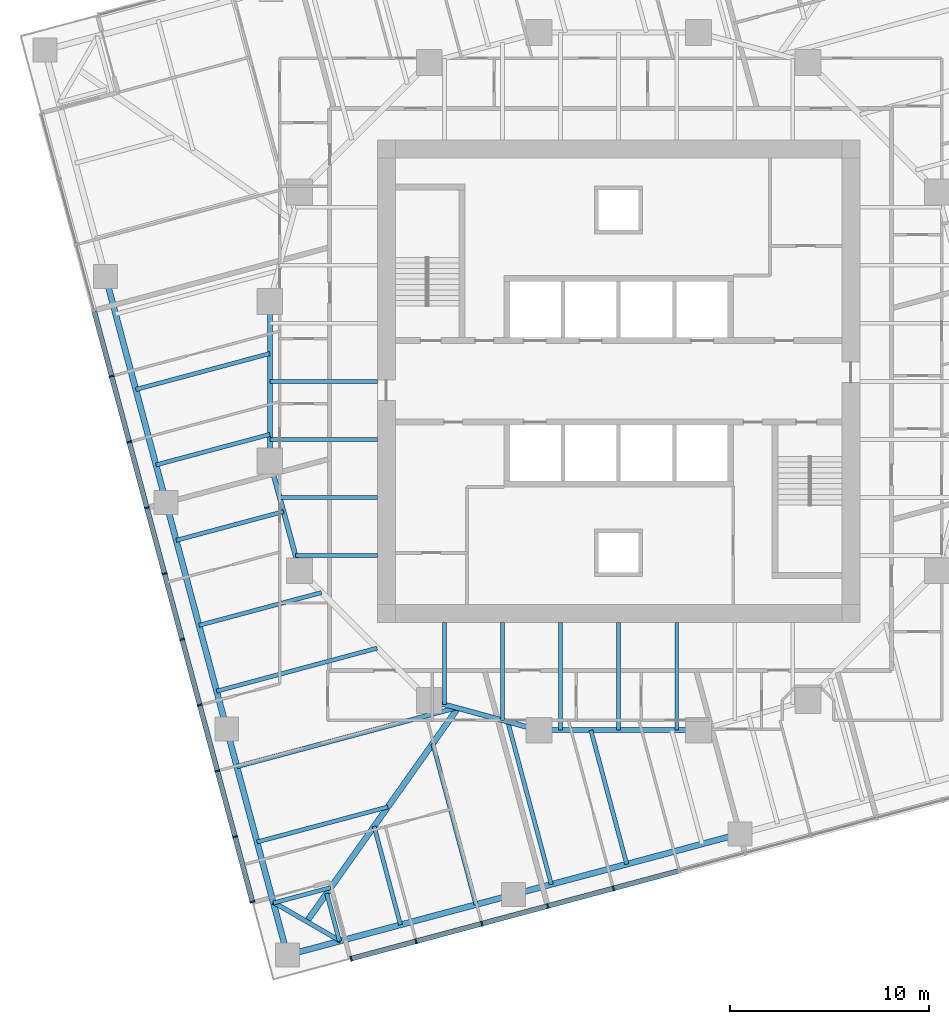
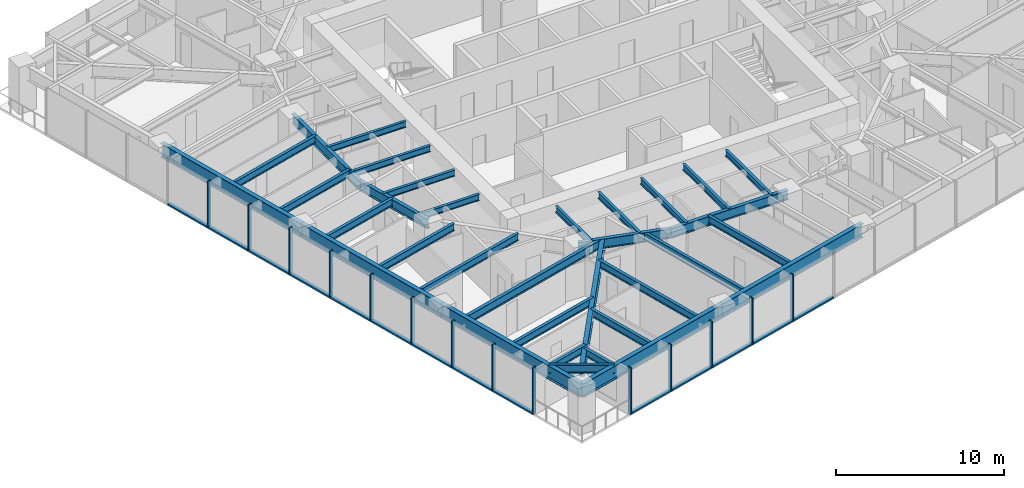
# One storey, part 2 of 14: 33 beams, 28 members, 2 elements without a shape of their own.
"""IFC4 building model written with IfcOpenShell, lengths in metres."""

import ifcopenshell
import ifcopenshell.guid

model = None  # the IFC model being written
_history = None  # IfcOwnerHistory: only IFC2X3 demands one
_inside = {}  # id of a spatial element -> (the spatial element, [elements in it])
_under = {}  # id of a project, library or spatial element -> (it, [spatial elements below it])
_declared = {}  # id of a project -> (the project, [libraries it declares])
_typed = {}  # id of a type object -> (the type object, [elements of that type])
_made_of = {}  # id of a material, layer set ... -> (it, [elements and type objects made of it])


def new_model(schema):
    """Start an empty IFC model of exactly this schema.

    Asked for "IFC4X3", IfcOpenShell would pick the latest addendum, in which some entities
    have other attributes; the version numbers below select the first issue.
    IFC2X3 requires an IfcOwnerHistory on every rooted entity: one is made here for all.
    """
    global model, _history
    if schema == "IFC4X3":
        model = ifcopenshell.file(schema_version=(4, 3, 0, 0))
    else:
        model = ifcopenshell.file(schema=schema)
    _inside.clear()
    _under.clear()
    _declared.clear()
    _typed.clear()
    _made_of.clear()
    _history = None
    if model.schema == "IFC2X3":
        org = make("IfcOrganization", Name="unknown")
        user = make(
            "IfcPersonAndOrganization",
            ThePerson=make("IfcPerson", FamilyName="unknown"),
            TheOrganization=org,
        )
        app = make(
            "IfcApplication",
            ApplicationDeveloper=org,
            Version="unknown",
            ApplicationFullName="unknown",
            ApplicationIdentifier="unknown",
        )
        _history = make(
            "IfcOwnerHistory",
            OwningUser=user,
            OwningApplication=app,
            ChangeAction="ADDED",
            CreationDate=0,
        )
    return model


def make(cls, **values):
    """One entity of the class cls with the attributes given. An attribute that is None is left unset."""
    return model.create_entity(
        cls, **{name: value for name, value in values.items() if value is not None}
    )


def rooted(cls, **values):
    """An entity with a GlobalId (a new one), such as an element, a storey or a relation."""
    return make(cls, GlobalId=ifcopenshell.guid.new(), OwnerHistory=_history, **values)


def si_unit(unit_type, name, prefix=None):
    """IfcSIUnit, for example si_unit("LENGTHUNIT", "METRE", prefix="MILLI")."""
    return make("IfcSIUnit", UnitType=unit_type, Prefix=prefix, Name=name)


def assignment(units):
    """IfcUnitAssignment: the units of a project."""
    return None if units is None else make("IfcUnitAssignment", Units=units)


def point(xyz):
    """IfcCartesianPoint."""
    return None if xyz is None else make("IfcCartesianPoint", Coordinates=xyz)


def direction(xyz):
    """IfcDirection."""
    return None if xyz is None else make("IfcDirection", DirectionRatios=xyz)


def frame(location, z_axis=None, x_axis=None):
    """IfcAxis2Placement3D, a coordinate frame: its origin and axes. An axis left out is left unset."""
    return make(
        "IfcAxis2Placement3D",
        Location=point(location),
        Axis=direction(z_axis),
        RefDirection=direction(x_axis),
    )


def frame_2d(location, x_axis=None):
    """IfcAxis2Placement2D, a coordinate frame in the plane: its origin and x axis."""
    return make(
        "IfcAxis2Placement2D", Location=point(location), RefDirection=direction(x_axis)
    )


def origin():
    """The frame at (0, 0, 0) with its axes left unset."""
    return frame((0.0, 0.0, 0.0))


def origin_2d():
    """The frame at (0, 0) in the plane with its x axis left unset."""
    return frame_2d((0.0, 0.0))


def place(relative_to, where):
    """IfcLocalPlacement: puts the frame where relative to a parent placement (None: the world)."""
    return make(
        "IfcLocalPlacement", PlacementRelTo=relative_to, RelativePlacement=where
    )


def context(
    kind, dimensions, precision=None, world=None, true_north=None, identifier=None
):
    """IfcGeometricRepresentationContext, for example the 3D "Model" context."""
    return make(
        "IfcGeometricRepresentationContext",
        ContextIdentifier=identifier,
        ContextType=kind,
        CoordinateSpaceDimension=dimensions,
        Precision=precision,
        WorldCoordinateSystem=world,
        TrueNorth=true_north,
    )


def subcontext(parent, identifier, kind, view, scale=None):
    """IfcGeometricRepresentationSubContext, for example "Body" below "Model"."""
    return make(
        "IfcGeometricRepresentationSubContext",
        ContextIdentifier=identifier,
        ContextType=kind,
        ParentContext=parent,
        TargetScale=scale,
        TargetView=view,
    )


def project(units=None, contexts=None):
    """IfcProject with its units and contexts."""
    return rooted(
        "IfcProject",
        Name="project",
        RepresentationContexts=contexts,
        UnitsInContext=assignment(units),
    )


def spatial(cls, under=None, at=None, **own):
    """A site, building, storey or space (cls), placed at a placement, below another one or the project."""
    s = rooted(cls, ObjectPlacement=at, **own)
    if under is not None:
        _under.setdefault(under.id(), (under, []))[1].append(s)
    return s


def profile(cls, at=None, kind="AREA", **sizes):
    """A parametric profile (cls). Its sizes go by their IFC names, for example OverallWidth=200.0."""
    return make(cls, ProfileType=kind, Position=at, **sizes)


def rectangle(**sizes):
    """IfcRectangleProfileDef."""
    return profile("IfcRectangleProfileDef", **sizes)


def i_section(**sizes):
    """IfcIShapeProfileDef."""
    return profile("IfcIShapeProfileDef", **sizes)


def extrude(swept, where, along, depth):
    """IfcExtrudedAreaSolid: the profile swept, set in the frame where, extruded along a direction by depth."""
    return make(
        "IfcExtrudedAreaSolid",
        SweptArea=swept,
        Position=where,
        ExtrudedDirection=direction(along),
        Depth=depth,
    )


def shape(context_of_items, identifier, shape_type, items):
    """IfcShapeRepresentation: the items that make up one representation, for example the "Body"."""
    return make(
        "IfcShapeRepresentation",
        ContextOfItems=context_of_items,
        RepresentationIdentifier=identifier,
        RepresentationType=shape_type,
        Items=items,
    )


def material(Name=None, Category=None):
    """IfcMaterial."""
    return make("IfcMaterial", Name=Name, Category=Category)


def material_profile(
    of_material, cross_section, Name=None, Category=None, Priority=None
):
    """IfcMaterialProfile: a cross section and its material."""
    return make(
        "IfcMaterialProfile",
        Name=Name,
        Material=of_material,
        Profile=cross_section,
        Priority=Priority,
        Category=Category,
    )


def profile_set(profiles, Name=None, composite=None):
    """IfcMaterialProfileSet."""
    return make(
        "IfcMaterialProfileSet",
        Name=Name,
        MaterialProfiles=profiles,
        CompositeProfile=composite,
    )


def made_of(thing, what):
    """Note that an element or type object is made of a material, layer set ...; save() writes the relation."""
    if what is not None:
        _made_of.setdefault(what.id(), (what, []))[1].append(thing)
    return thing


def type_object(cls, material=None, **own):
    """A type object (cls), such as IfcWallType, which elements share."""
    return made_of(rooted(cls, **own), material)


def element(
    cls,
    number,
    at=None,
    inside=None,
    cuts=None,
    type_object=None,
    material=None,
    context=None,
    identifier="Body",
    shape_type=None,
    held_by="IfcProductDefinitionShape",
    body=None,
    shapes=None,
    **own,
):
    """One element of the class cls, such as IfcWall. Its Tag is "e" and its number.

    at: its placement. inside: the storey or other place that contains it. cuts: it is an
    opening in that element (IfcRelVoidsElement). A single representation is given by context,
    identifier, shape_type and body (its items); several are given by shapes. held_by: the class
    of the entity that holds the representations. save() writes the other relations.
    """
    e = rooted(cls, Tag="e%d" % number, ObjectPlacement=at, **own)
    if body is not None:
        shapes = [shape(context, identifier, shape_type, body)]
    if shapes is not None:
        e.Representation = make(held_by, Representations=shapes)
    if inside is not None:
        _inside.setdefault(inside.id(), (inside, []))[1].append(e)
    if cuts is not None:
        rooted(
            "IfcRelVoidsElement", RelatingBuildingElement=cuts, RelatedOpeningElement=e
        )
    if type_object is not None:
        _typed.setdefault(type_object.id(), (type_object, []))[1].append(e)
    return made_of(e, material)


def aggregate(whole, parts):
    """IfcRelAggregates: a whole, such as a stair, and the parts it consists of."""
    return rooted("IfcRelAggregates", RelatingObject=whole, RelatedObjects=parts)


def save(model, path):
    """Write the relations noted so far, then the file.

    IfcRelAggregates (storeys below a building ...), IfcRelContainedInSpatialStructure (elements
    in a storey), IfcRelDefinesByType, IfcRelAssociatesMaterial and IfcRelDeclares: one each for
    every whole, place, type object, material and project.
    """
    for whole, parts in _under.values():
        aggregate(whole, parts)
    for where, things in _inside.values():
        rooted(
            "IfcRelContainedInSpatialStructure",
            RelatedElements=things,
            RelatingStructure=where,
        )
    for kind, things in _typed.values():
        rooted("IfcRelDefinesByType", RelatedObjects=things, RelatingType=kind)
    for what, things in _made_of.values():
        rooted("IfcRelAssociatesMaterial", RelatedObjects=things, RelatingMaterial=what)
    for by, libraries in _declared.values():
        rooted("IfcRelDeclares", RelatingContext=by, RelatedDefinitions=libraries)
    model.write(path)


model = new_model("IFC4")

# Units and contexts
model_context = context("Model", 3, precision=1e-05, world=origin(), true_north=direction((0.0, 1.0)))
body_context = subcontext(model_context, "Body", "Model", "MODEL_VIEW")
ifc_project = project(units=[si_unit("LENGTHUNIT", "METRE"), si_unit("AREAUNIT", "SQUARE_METRE"), si_unit("VOLUMEUNIT", "CUBIC_METRE"), si_unit("PLANEANGLEUNIT", "RADIAN"), si_unit("MASSUNIT", "GRAM", prefix="KILO")], contexts=[model_context])

# Site, building, storey
site_placement = place(None, origin())
site = spatial("IfcSite", under=ifc_project, at=site_placement, CompositionType="ELEMENT")
building_placement = place(site_placement, origin())
building = spatial("IfcBuilding", under=site, at=building_placement, Name="Torsade Residences", CompositionType="ELEMENT")
storey_placement = place(building_placement, frame((0.0, 0.0, 128.60009765625)))
storey = spatial("IfcBuildingStorey", under=building, at=storey_placement, Name="L35", CompositionType="ELEMENT", Elevation=128.60009765625)

# Beams
ifc_material_1 = material(Name="Steel grade 300", Category="steel")
ifc_material_profile_1 = material_profile(ifc_material_1, i_section(OverallWidth=0.300048828125, OverallDepth=0.89990234375, WebThickness=0.011962890625, FlangeThickness=0.02490234375, at=origin_2d()), Name="900WB175")
ifc_profile_set_1 = profile_set([ifc_material_profile_1], Name="Steel grade 300")
beam_type_1 = type_object("IfcBeamType", Name="CORNER GIRDER 900WB175", PredefinedType="BEAM", material=ifc_profile_set_1)
beam_1_placement = place(storey_placement, frame((24.355224609375, 2.902587890625, 2.7998046875), z_axis=(0.577683167004, 0.816261084801, 0.0), x_axis=(-0.816261084801, 0.577683167004, 0.0)))
element("IfcBeam", 1, at=beam_1_placement, inside=storey, type_object=beam_type_1, Name="Corner girder 01 L36", PredefinedType="BEAM", context=body_context, shape_type="SweptSolid", body=[
    extrude(i_section(OverallWidth=0.300048828125, OverallDepth=0.89990234375, WebThickness=0.011962890625, FlangeThickness=0.02490234375, at=origin_2d()), origin(), (0.0, 0.0, 1.0), 13.116943359375),
])
ifc_material_2 = material(Name="Steel grade 300", Category="steel")
ifc_material_profile_2 = material_profile(ifc_material_2, i_section(OverallWidth=0.22802734375, OverallDepth=0.60205078125, WebThickness=0.010498046875, FlangeThickness=0.014892578125, FilletRadius=0.013916015625, at=origin_2d()), Name="610UB101")
ifc_profile_set_2 = profile_set([ifc_material_profile_2], Name="Steel grade 300")
beam_type_2 = type_object("IfcBeamType", Name="CORNER TRIMMER 610UB101", PredefinedType="BEAM", material=ifc_profile_set_2)
beam_2_placement = place(storey_placement, frame((26.039306640625, 1.93017578125, 2.948974609375), z_axis=(-0.866028782848, 0.499994147244, 0.0), x_axis=(-0.499994147244, -0.866028782848, 0.0)))
element("IfcBeam", 2, at=beam_2_placement, inside=storey, type_object=beam_type_2, Name="Corner trimmer 01 L36", PredefinedType="BEAM", context=body_context, shape_type="SweptSolid", body=[
    extrude(i_section(OverallWidth=0.22802734375, OverallDepth=0.60205078125, WebThickness=0.010498046875, FlangeThickness=0.014892578125, FilletRadius=0.013916015625, at=origin_2d()), origin(), (0.0, 0.0, 1.0), 3.88916015625),
])
ifc_material_3 = material(Name="Steel grade 300", Category="steel")
ifc_material_profile_3 = material_profile(ifc_material_3, i_section(OverallWidth=0.300048828125, OverallDepth=1.0, WebThickness=0.01611328125, FlangeThickness=0.028076171875, at=origin_2d()), Name="1000WB215")
ifc_profile_set_3 = profile_set([ifc_material_profile_3], Name="Steel grade 300")
beam_type_3 = type_object("IfcBeamType", Name="EDGE BEAM 1000WB215", PredefinedType="SPANDREL", material=ifc_profile_set_3)
for number, where, z_axis, x_axis, name in (
    (3, (23.383056640625, 1.218505859375, 2.75), (0.965928018634, 0.258810863021, 0.0), (-0.258810863021, 0.965928018634, 0.0), "Edge beam 01 L36"),
    (4, (34.732666015625, 4.259521484375, 2.75), (0.965922824118, 0.258830249097, 0.0), (-0.258830249097, 0.965922824118, 0.0), "Edge beam 02 L36"),
    (5, (14.259521484375, 35.267333984375, 2.75), (0.258830249097, -0.965922824118, 0.0), (0.965922824118, 0.258830249097, 0.0), "Edge beam 14 L36"),
    (6, (17.30078125, 23.917724609375, 2.75), (0.258810863021, -0.965928018634, 0.0), (0.965928018634, 0.258810863021, 0.0), "Edge beam 15 L36"),
    (7, (20.341796875, 12.568115234375, 2.75), (0.258830249097, -0.965922824118, 0.0), (0.965922824118, 0.258830249097, 0.0), "Edge beam 16 L36"),
):
    element("IfcBeam", number, at=place(storey_placement, frame(where, z_axis=z_axis, x_axis=x_axis)), inside=storey, type_object=beam_type_3, Name=name, PredefinedType="SPANDREL", context=body_context, shape_type="SweptSolid", body=[
        extrude(i_section(OverallWidth=0.300048828125, OverallDepth=1.0, WebThickness=0.01611328125, FlangeThickness=0.028076171875, at=origin_2d()), origin(), (0.0, 0.0, 1.0), 11.75),
    ])
ifc_material_4 = material(Name="Steel grade 300", Category="steel")
ifc_material_profile_4 = material_profile(ifc_material_4, i_section(OverallWidth=0.18994140625, OverallDepth=0.4541015625, WebThickness=0.008544921875, FlangeThickness=0.0126953125, FilletRadius=0.011474609375, at=origin_2d()), Name="460UB67.1")
ifc_profile_set_4 = profile_set([ifc_material_profile_4], Name="Steel grade 300")
beam_type_4 = type_object("IfcBeamType", Name="INNER FLOOR BEAM 460UB67.1", PredefinedType="JOIST", material=ifc_profile_set_4)
for number, where, z_axis, x_axis, name in (
    (8, (42.91259765625, 17.89990234375, 3.02294921875), (0.0, -1.0, 0.0), (1.0, 0.0, 0.0), "Inner floor beam IS03 L36"),
    (9, (40.0, 17.89990234375, 3.02294921875), (0.0, -1.0, 0.0), (1.0, 0.0, 0.0), "Inner floor beam IS04 L36"),
    (10, (37.08740234375, 17.89990234375, 3.02294921875), (0.0, -1.0, 0.0), (1.0, 0.0, 0.0), "Inner floor beam IS05 L36"),
):
    element("IfcBeam", number, at=place(storey_placement, frame(where, z_axis=z_axis, x_axis=x_axis)), inside=storey, type_object=beam_type_4, Name=name, PredefinedType="JOIST", context=body_context, shape_type="SweptSolid", body=[
        extrude(i_section(OverallWidth=0.18994140625, OverallDepth=0.4541015625, WebThickness=0.008544921875, FlangeThickness=0.0126953125, FilletRadius=0.011474609375, at=origin_2d()), origin(), (0.0, 0.0, 1.0), 5.39990234375),
    ])
beam_3_placement = place(storey_placement, frame((34.175048828125, 17.89990234375, 3.02294921875), z_axis=(0.0, -1.0, 0.0), x_axis=(1.0, 0.0, 0.0)))
element("IfcBeam", 11, at=beam_3_placement, inside=storey, type_object=beam_type_4, Name="Inner floor beam IS06 L36", PredefinedType="JOIST", context=body_context, shape_type="SweptSolid", body=[
    extrude(i_section(OverallWidth=0.18994140625, OverallDepth=0.4541015625, WebThickness=0.008544921875, FlangeThickness=0.0126953125, FilletRadius=0.011474609375, at=origin_2d()), origin(), (0.0, 0.0, 1.0), 4.902099609375),
])
beam_4_placement = place(storey_placement, frame((31.262451171875, 17.89990234375, 3.02294921875), z_axis=(0.0, -1.0, 0.0), x_axis=(1.0, 0.0, 0.0)))
element("IfcBeam", 12, at=beam_4_placement, inside=storey, type_object=beam_type_4, Name="Inner floor beam IS07 L36", PredefinedType="JOIST", context=body_context, shape_type="SweptSolid", body=[
    extrude(i_section(OverallWidth=0.18994140625, OverallDepth=0.4541015625, WebThickness=0.008544921875, FlangeThickness=0.0126953125, FilletRadius=0.011474609375, at=origin_2d()), origin(), (0.0, 0.0, 1.0), 4.10791015625),
])
for number, where, z_axis, x_axis, name in (
    (13, (27.89990234375, 30.0, 3.02294921875), (-1.0, 0.0, 0.0), (0.0, -1.0, 0.0), "Inner floor beam IW04 L36"),
    (14, (27.89990234375, 27.08740234375, 3.02294921875), (-1.0, 0.0, 0.0), (0.0, -1.0, 0.0), "Inner floor beam IW05 L36"),
):
    element("IfcBeam", number, at=place(storey_placement, frame(where, z_axis=z_axis, x_axis=x_axis)), inside=storey, type_object=beam_type_4, Name=name, PredefinedType="JOIST", context=body_context, shape_type="SweptSolid", body=[
        extrude(i_section(OverallWidth=0.18994140625, OverallDepth=0.4541015625, WebThickness=0.008544921875, FlangeThickness=0.0126953125, FilletRadius=0.011474609375, at=origin_2d()), origin(), (0.0, 0.0, 1.0), 5.39990234375),
    ])
beam_5_placement = place(storey_placement, frame((27.89990234375, 24.175048828125, 3.02294921875), z_axis=(-1.0, 0.0, 0.0), x_axis=(0.0, -1.0, 0.0)))
element("IfcBeam", 15, at=beam_5_placement, inside=storey, type_object=beam_type_4, Name="Inner floor beam IW06 L36", PredefinedType="JOIST", context=body_context, shape_type="SweptSolid", body=[
    extrude(i_section(OverallWidth=0.18994140625, OverallDepth=0.4541015625, WebThickness=0.008544921875, FlangeThickness=0.0126953125, FilletRadius=0.011474609375, at=origin_2d()), origin(), (0.0, 0.0, 1.0), 4.902099609375),
])
beam_6_placement = place(storey_placement, frame((27.89990234375, 21.262451171875, 3.02294921875), z_axis=(-1.0, 0.0, 0.0), x_axis=(0.0, -1.0, 0.0)))
element("IfcBeam", 16, at=beam_6_placement, inside=storey, type_object=beam_type_4, Name="Inner floor beam IW07 L36", PredefinedType="JOIST", context=body_context, shape_type="SweptSolid", body=[
    extrude(i_section(OverallWidth=0.18994140625, OverallDepth=0.4541015625, WebThickness=0.008544921875, FlangeThickness=0.0126953125, FilletRadius=0.011474609375, at=origin_2d()), origin(), (0.0, 0.0, 1.0), 4.10791015625),
])

# Curtain wall, members
ifc_material_5 = material(Name="Aluminium and glass", Category="aluminium")
curtain_wall_type = type_object("IfcCurtainWallType", Name="FRITTED GLASS CURTAIN WALL MID ZONE", PredefinedType="NOTDEFINED", material=ifc_material_5)
curtain_wall_1_placement = place(storey_placement, origin())
curtain_wall_1 = element("IfcCurtainWall", 17, at=curtain_wall_1_placement, inside=storey, type_object=curtain_wall_type, Name="Curtain wall L35 face 1", PredefinedType="NOTDEFINED")
ifc_material_6 = material(Name="Aluminium mullion", Category="aluminium")
ifc_material_profile_5 = material_profile(ifc_material_6, rectangle(XDim=0.25, YDim=0.080078125, at=origin_2d()), Name="MID ZONE CURTAIN WALL MULLION 250x80")
ifc_profile_set_5 = profile_set([ifc_material_profile_5], Name="Aluminium mullion")
member_type_1 = type_object("IfcMemberType", Name="MID ZONE CURTAIN WALL MULLION 250x80", PredefinedType="MULLION", material=ifc_profile_set_5)
member_1_placement = place(storey_placement, frame((26.578125, 1.039306640625, 0.0), z_axis=(0.0, 0.0, 1.0), x_axis=(-0.258819047783, 0.965925825571, 0.0)))
member_1 = element("IfcMember", 18, at=member_1_placement, type_object=member_type_1, Name="Mullion 1", PredefinedType="MULLION", context=body_context, shape_type="SweptSolid", body=[
    extrude(rectangle(XDim=0.25, YDim=0.080078125, at=origin_2d()), origin(), (0.0, 0.0, 1.0), 3.39990234375),
])
member_2_placement = place(storey_placement, frame((29.83984375, 1.913330078125, 0.0), z_axis=(0.0, 0.0, 1.0), x_axis=(-0.258819047783, 0.965925825571, 0.0)))
member_2 = element("IfcMember", 19, at=member_2_placement, type_object=member_type_1, Name="Mullion 2", PredefinedType="MULLION", context=body_context, shape_type="SweptSolid", body=[
    extrude(rectangle(XDim=0.25, YDim=0.080078125, at=origin_2d()), origin(), (0.0, 0.0, 1.0), 3.39990234375),
])
member_3_placement = place(storey_placement, frame((33.14013671875, 2.797607421875, 0.0), z_axis=(0.0, 0.0, 1.0), x_axis=(-0.258819047783, 0.965925825571, 0.0)))
member_3 = element("IfcMember", 20, at=member_3_placement, type_object=member_type_1, Name="Mullion 3", PredefinedType="MULLION", context=body_context, shape_type="SweptSolid", body=[
    extrude(rectangle(XDim=0.25, YDim=0.080078125, at=origin_2d()), origin(), (0.0, 0.0, 1.0), 3.39990234375),
])
member_4_placement = place(storey_placement, frame((36.4404296875, 3.681884765625, 0.0), z_axis=(0.0, 0.0, 1.0), x_axis=(-0.258819047783, 0.965925825571, 0.0)))
member_4 = element("IfcMember", 21, at=member_4_placement, type_object=member_type_1, Name="Mullion 4", PredefinedType="MULLION", context=body_context, shape_type="SweptSolid", body=[
    extrude(rectangle(XDim=0.25, YDim=0.080078125, at=origin_2d()), origin(), (0.0, 0.0, 1.0), 3.39990234375),
])
member_5_placement = place(storey_placement, frame((39.740478515625, 4.566162109375, 0.0), z_axis=(0.0, 0.0, 1.0), x_axis=(-0.258819047783, 0.965925825571, 0.0)))
member_5 = element("IfcMember", 22, at=member_5_placement, type_object=member_type_1, Name="Mullion 5", PredefinedType="MULLION", context=body_context, shape_type="SweptSolid", body=[
    extrude(rectangle(XDim=0.25, YDim=0.080078125, at=origin_2d()), origin(), (0.0, 0.0, 1.0), 3.39990234375),
])

curtain_wall_2_placement = place(storey_placement, origin())
curtain_wall_2 = element("IfcCurtainWall", 23, at=curtain_wall_2_placement, inside=storey, type_object=curtain_wall_type, Name="Curtain wall L35 face 10", PredefinedType="NOTDEFINED")
member_6_placement = place(storey_placement, frame((14.566162109375, 30.259521484375, 0.0), z_axis=(0.0, 0.0, 1.0), x_axis=(0.965925825571, 0.258819047783, 0.0)))
member_6 = element("IfcMember", 24, at=member_6_placement, type_object=member_type_1, Name="Mullion 5", PredefinedType="MULLION", context=body_context, shape_type="SweptSolid", body=[
    extrude(rectangle(XDim=0.25, YDim=0.080078125, at=origin_2d()), origin(), (0.0, 0.0, 1.0), 3.39990234375),
])
member_7_placement = place(storey_placement, frame((15.450439453125, 26.959228515625, 0.0), z_axis=(0.0, 0.0, 1.0), x_axis=(0.965925825571, 0.258819047783, 0.0)))
member_7 = element("IfcMember", 25, at=member_7_placement, type_object=member_type_1, Name="Mullion 6", PredefinedType="MULLION", context=body_context, shape_type="SweptSolid", body=[
    extrude(rectangle(XDim=0.25, YDim=0.080078125, at=origin_2d()), origin(), (0.0, 0.0, 1.0), 3.39990234375),
])
member_8_placement = place(storey_placement, frame((16.334716796875, 23.658935546875, 0.0), z_axis=(0.0, 0.0, 1.0), x_axis=(0.965925825571, 0.258819047783, 0.0)))
member_8 = element("IfcMember", 26, at=member_8_placement, type_object=member_type_1, Name="Mullion 7", PredefinedType="MULLION", context=body_context, shape_type="SweptSolid", body=[
    extrude(rectangle(XDim=0.25, YDim=0.080078125, at=origin_2d()), origin(), (0.0, 0.0, 1.0), 3.39990234375),
])
member_9_placement = place(storey_placement, frame((17.218994140625, 20.358642578125, 0.0), z_axis=(0.0, 0.0, 1.0), x_axis=(0.965925825571, 0.258819047783, 0.0)))
member_9 = element("IfcMember", 27, at=member_9_placement, type_object=member_type_1, Name="Mullion 8", PredefinedType="MULLION", context=body_context, shape_type="SweptSolid", body=[
    extrude(rectangle(XDim=0.25, YDim=0.080078125, at=origin_2d()), origin(), (0.0, 0.0, 1.0), 3.39990234375),
])
member_10_placement = place(storey_placement, frame((18.103515625, 17.058349609375, 0.0), z_axis=(0.0, 0.0, 1.0), x_axis=(0.965925825571, 0.258819047783, 0.0)))
member_10 = element("IfcMember", 28, at=member_10_placement, type_object=member_type_1, Name="Mullion 9", PredefinedType="MULLION", context=body_context, shape_type="SweptSolid", body=[
    extrude(rectangle(XDim=0.25, YDim=0.080078125, at=origin_2d()), origin(), (0.0, 0.0, 1.0), 3.39990234375),
])
member_11_placement = place(storey_placement, frame((18.98779296875, 13.75830078125, 0.0), z_axis=(0.0, 0.0, 1.0), x_axis=(0.965925825571, 0.258819047783, 0.0)))
member_11 = element("IfcMember", 29, at=member_11_placement, type_object=member_type_1, Name="Mullion 10", PredefinedType="MULLION", context=body_context, shape_type="SweptSolid", body=[
    extrude(rectangle(XDim=0.25, YDim=0.080078125, at=origin_2d()), origin(), (0.0, 0.0, 1.0), 3.39990234375),
])
member_12_placement = place(storey_placement, frame((19.8720703125, 10.4580078125, 0.0), z_axis=(0.0, 0.0, 1.0), x_axis=(0.965925825571, 0.258819047783, 0.0)))
member_12 = element("IfcMember", 30, at=member_12_placement, type_object=member_type_1, Name="Mullion 11", PredefinedType="MULLION", context=body_context, shape_type="SweptSolid", body=[
    extrude(rectangle(XDim=0.25, YDim=0.080078125, at=origin_2d()), origin(), (0.0, 0.0, 1.0), 3.39990234375),
])
member_13_placement = place(storey_placement, frame((20.75634765625, 7.15771484375, 0.0), z_axis=(0.0, 0.0, 1.0), x_axis=(0.965925825571, 0.258819047783, 0.0)))
member_13 = element("IfcMember", 31, at=member_13_placement, type_object=member_type_1, Name="Mullion 12", PredefinedType="MULLION", context=body_context, shape_type="SweptSolid", body=[
    extrude(rectangle(XDim=0.25, YDim=0.080078125, at=origin_2d()), origin(), (0.0, 0.0, 1.0), 3.39990234375),
])
member_14_placement = place(storey_placement, frame((21.63037109375, 3.89599609375, 0.0), z_axis=(0.0, 0.0, 1.0), x_axis=(0.965925825571, 0.258819047783, 0.0)))
member_14 = element("IfcMember", 32, at=member_14_placement, type_object=member_type_1, Name="Mullion 13", PredefinedType="MULLION", context=body_context, shape_type="SweptSolid", body=[
    extrude(rectangle(XDim=0.25, YDim=0.080078125, at=origin_2d()), origin(), (0.0, 0.0, 1.0), 3.39990234375),
])

# Member
ifc_material_7 = material(Name="Aluminium transom", Category="aluminium")
ifc_material_profile_6 = material_profile(ifc_material_7, rectangle(XDim=0.25, YDim=0.110107421875, at=origin_2d()), Name="MID ZONE CURTAIN WALL TRANSOM 250x110")
ifc_profile_set_6 = profile_set([ifc_material_profile_6], Name="Aluminium transom")
member_type_2 = type_object("IfcMemberType", Name="MID ZONE CURTAIN WALL TRANSOM 250x110", PredefinedType="USERDEFINED", material=ifc_profile_set_6)
member_15_placement = place(storey_placement, frame((26.616943359375, 1.0498046875, 0.054931640625), z_axis=(0.965923258633, 0.258828627534, 0.0), x_axis=(-0.258828627534, 0.965923258633, 0.0)))
member_15 = element("IfcMember", 33, at=member_15_placement, type_object=member_type_2, Name="Transom 1.1", ObjectType="TRANSOM", PredefinedType="USERDEFINED", context=body_context, shape_type="SweptSolid", body=[
    extrude(rectangle(XDim=0.25, YDim=0.110107421875, at=origin_2d()), origin(), (0.0, 0.0, 1.0), 3.296630859375),
])

member_16_placement = place(storey_placement, frame((29.87841796875, 1.923583984375, 0.054931640625), z_axis=(0.965916044226, 0.258855549498, 0.0), x_axis=(-0.258855549498, 0.965916044226, 0.0)))
member_16 = element("IfcMember", 34, at=member_16_placement, type_object=member_type_2, Name="Transom 2.1", ObjectType="TRANSOM", PredefinedType="USERDEFINED", context=body_context, shape_type="SweptSolid", body=[
    extrude(rectangle(XDim=0.25, YDim=0.110107421875, at=origin_2d()), origin(), (0.0, 0.0, 1.0), 3.3369140625),
])

member_17_placement = place(storey_placement, frame((33.1787109375, 2.807861328125, 0.054931640625), z_axis=(0.96591114124, 0.258873844232, 0.0), x_axis=(-0.258873844232, 0.96591114124, 0.0)))
member_17 = element("IfcMember", 35, at=member_17_placement, type_object=member_type_2, Name="Transom 3.1", ObjectType="TRANSOM", PredefinedType="USERDEFINED", context=body_context, shape_type="SweptSolid", body=[
    extrude(rectangle(XDim=0.25, YDim=0.110107421875, at=origin_2d()), origin(), (0.0, 0.0, 1.0), 3.336669921875),
])

member_18_placement = place(storey_placement, frame((36.47900390625, 3.6923828125, 0.054931640625), z_axis=(0.965929435155, 0.258805576255, 0.0), x_axis=(-0.258805576255, 0.965929435155, 0.0)))
member_18 = element("IfcMember", 36, at=member_18_placement, type_object=member_type_2, Name="Transom 4.1", ObjectType="TRANSOM", PredefinedType="USERDEFINED", context=body_context, shape_type="SweptSolid", body=[
    extrude(rectangle(XDim=0.25, YDim=0.110107421875, at=origin_2d()), origin(), (0.0, 0.0, 1.0), 3.336669921875),
])

member_19_placement = place(storey_placement, frame((39.779296875, 4.57666015625, 0.054931640625), z_axis=(0.965929435155, 0.258805576255, 0.0), x_axis=(-0.258805576255, 0.965929435155, 0.0)))
member_19 = element("IfcMember", 37, at=member_19_placement, type_object=member_type_2, Name="Transom 5.1", ObjectType="TRANSOM", PredefinedType="USERDEFINED", context=body_context, shape_type="SweptSolid", body=[
    extrude(rectangle(XDim=0.25, YDim=0.110107421875, at=origin_2d()), origin(), (0.0, 0.0, 1.0), 3.336669921875),
])

aggregate(curtain_wall_1, [member_1, member_2, member_3, member_4, member_5, member_15, member_16, member_17, member_18, member_19])

member_20_placement = place(storey_placement, frame((13.6923828125, 33.52099609375, 0.054931640625), z_axis=(0.258805576255, -0.965929435155, 0.0), x_axis=(0.965929435155, 0.258805576255, 0.0)))
member_20 = element("IfcMember", 38, at=member_20_placement, type_object=member_type_2, Name="Transom 4.1", ObjectType="TRANSOM", PredefinedType="USERDEFINED", context=body_context, shape_type="SweptSolid", body=[
    extrude(rectangle(XDim=0.25, YDim=0.110107421875, at=origin_2d()), origin(), (0.0, 0.0, 1.0), 3.336669921875),
])

member_21_placement = place(storey_placement, frame((14.57666015625, 30.220703125, 0.054931640625), z_axis=(0.258805576255, -0.965929435155, 0.0), x_axis=(0.965929435155, 0.258805576255, 0.0)))
member_21 = element("IfcMember", 39, at=member_21_placement, type_object=member_type_2, Name="Transom 5.1", ObjectType="TRANSOM", PredefinedType="USERDEFINED", context=body_context, shape_type="SweptSolid", body=[
    extrude(rectangle(XDim=0.25, YDim=0.110107421875, at=origin_2d()), origin(), (0.0, 0.0, 1.0), 3.336669921875),
])

member_22_placement = place(storey_placement, frame((15.4609375, 26.920654296875, 0.054931640625), z_axis=(0.258787285653, -0.965934335648, 0.0), x_axis=(0.965934335648, 0.258787285653, 0.0)))
member_22 = element("IfcMember", 40, at=member_22_placement, type_object=member_type_2, Name="Transom 6.1", ObjectType="TRANSOM", PredefinedType="USERDEFINED", context=body_context, shape_type="SweptSolid", body=[
    extrude(rectangle(XDim=0.25, YDim=0.110107421875, at=origin_2d()), origin(), (0.0, 0.0, 1.0), 3.3369140625),
])

member_23_placement = place(storey_placement, frame((16.34521484375, 23.620361328125, 0.054931640625), z_axis=(0.258787285653, -0.965934335648, 0.0), x_axis=(0.965934335648, 0.258787285653, 0.0)))
member_23 = element("IfcMember", 41, at=member_23_placement, type_object=member_type_2, Name="Transom 7.1", ObjectType="TRANSOM", PredefinedType="USERDEFINED", context=body_context, shape_type="SweptSolid", body=[
    extrude(rectangle(XDim=0.25, YDim=0.110107421875, at=origin_2d()), origin(), (0.0, 0.0, 1.0), 3.3369140625),
])

member_24_placement = place(storey_placement, frame((17.2294921875, 20.320068359375, 0.054931640625), z_axis=(0.258805576255, -0.965929435155, 0.0), x_axis=(0.965929435155, 0.258805576255, 0.0)))
member_24 = element("IfcMember", 42, at=member_24_placement, type_object=member_type_2, Name="Transom 8.1", ObjectType="TRANSOM", PredefinedType="USERDEFINED", context=body_context, shape_type="SweptSolid", body=[
    extrude(rectangle(XDim=0.25, YDim=0.110107421875, at=origin_2d()), origin(), (0.0, 0.0, 1.0), 3.336669921875),
])

member_25_placement = place(storey_placement, frame((18.11376953125, 17.019775390625, 0.054931640625), z_axis=(0.258805576255, -0.965929435155, 0.0), x_axis=(0.965929435155, 0.258805576255, 0.0)))
member_25 = element("IfcMember", 43, at=member_25_placement, type_object=member_type_2, Name="Transom 9.1", ObjectType="TRANSOM", PredefinedType="USERDEFINED", context=body_context, shape_type="SweptSolid", body=[
    extrude(rectangle(XDim=0.25, YDim=0.110107421875, at=origin_2d()), origin(), (0.0, 0.0, 1.0), 3.336669921875),
])

member_26_placement = place(storey_placement, frame((18.998046875, 13.719482421875, 0.054931640625), z_axis=(0.258805576255, -0.965929435155, 0.0), x_axis=(0.965929435155, 0.258805576255, 0.0)))
member_26 = element("IfcMember", 44, at=member_26_placement, type_object=member_type_2, Name="Transom 10.1", ObjectType="TRANSOM", PredefinedType="USERDEFINED", context=body_context, shape_type="SweptSolid", body=[
    extrude(rectangle(XDim=0.25, YDim=0.110107421875, at=origin_2d()), origin(), (0.0, 0.0, 1.0), 3.336669921875),
])

member_27_placement = place(storey_placement, frame((19.88232421875, 10.419189453125, 0.054931640625), z_axis=(0.258805576255, -0.965929435155, 0.0), x_axis=(0.965929435155, 0.258805576255, 0.0)))
member_27 = element("IfcMember", 45, at=member_27_placement, type_object=member_type_2, Name="Transom 11.1", ObjectType="TRANSOM", PredefinedType="USERDEFINED", context=body_context, shape_type="SweptSolid", body=[
    extrude(rectangle(XDim=0.25, YDim=0.110107421875, at=origin_2d()), origin(), (0.0, 0.0, 1.0), 3.336669921875),
])

member_28_placement = place(storey_placement, frame((20.7666015625, 7.119140625, 0.054931640625), z_axis=(0.258828627534, -0.965923258633, 0.0), x_axis=(0.965923258633, 0.258828627534, 0.0)))
member_28 = element("IfcMember", 46, at=member_28_placement, type_object=member_type_2, Name="Transom 12.1", ObjectType="TRANSOM", PredefinedType="USERDEFINED", context=body_context, shape_type="SweptSolid", body=[
    extrude(rectangle(XDim=0.25, YDim=0.110107421875, at=origin_2d()), origin(), (0.0, 0.0, 1.0), 3.296630859375),
])

aggregate(curtain_wall_2, [member_6, member_7, member_8, member_9, member_10, member_11, member_12, member_13, member_14, member_20, member_21, member_22, member_23, member_24, member_25, member_26, member_27, member_28])

# Beams
ifc_material_8 = material(Name="Steel grade 300", Category="steel")
ifc_material_profile_7 = material_profile(ifc_material_8, i_section(OverallWidth=0.25, OverallDepth=0.699951171875, WebThickness=0.010009765625, FlangeThickness=0.02001953125, at=origin_2d()), Name="700WB130")
ifc_profile_set_7 = profile_set([ifc_material_profile_7], Name="Steel grade 300")
beam_type_5 = type_object("IfcBeamType", Name="RING GIRDER 700WB130", PredefinedType="BEAM", material=ifc_profile_set_7)
beam_7_placement = place(storey_placement, frame((22.5, 34.0, 2.89990234375), z_axis=(0.0, -1.0, 0.0), x_axis=(1.0, 0.0, 0.0)))
element("IfcBeam", 47, at=beam_7_placement, inside=storey, type_object=beam_type_5, Name="Ring girder IR09 L36", PredefinedType="BEAM", context=body_context, shape_type="SweptSolid", body=[
    extrude(i_section(OverallWidth=0.25, OverallDepth=0.699951171875, WebThickness=0.010009765625, FlangeThickness=0.02001953125, at=origin_2d()), origin(), (0.0, 0.0, 1.0), 8.0),
])
for number, where, z_axis, x_axis, name in (
    (48, (22.5, 26.0, 2.89990234375), (0.263117405792, -0.964763821238, 0.0), (0.964763821238, 0.263117405792, 0.0), "Ring girder IR10 L36"),
    (49, (30.5, 14.0, 2.89990234375), (0.964763821238, -0.263117405792, 0.0), (0.263117405792, 0.964763821238, 0.0), "Ring girder IR12 L36"),
):
    element("IfcBeam", number, at=place(storey_placement, frame(where, z_axis=z_axis, x_axis=x_axis)), inside=storey, type_object=beam_type_5, Name=name, PredefinedType="BEAM", context=body_context, shape_type="SweptSolid", body=[
        extrude(i_section(OverallWidth=0.25, OverallDepth=0.699951171875, WebThickness=0.010009765625, FlangeThickness=0.02001953125, at=origin_2d()), origin(), (0.0, 0.0, 1.0), 5.700927734375),
    ])
beam_8_placement = place(storey_placement, frame((36.0, 12.5, 2.89990234375), z_axis=(1.0, 0.0, 0.0), x_axis=(0.0, 1.0, 0.0)))
element("IfcBeam", 50, at=beam_8_placement, inside=storey, type_object=beam_type_5, Name="Ring girder IR13 L36", PredefinedType="BEAM", context=body_context, shape_type="SweptSolid", body=[
    extrude(i_section(OverallWidth=0.25, OverallDepth=0.699951171875, WebThickness=0.010009765625, FlangeThickness=0.02001953125, at=origin_2d()), origin(), (0.0, 0.0, 1.0), 8.0),
])
ifc_material_9 = material(Name="Steel grade 300", Category="steel")
ifc_material_profile_8 = material_profile(ifc_material_9, i_section(OverallWidth=0.208984375, OverallDepth=0.528076171875, WebThickness=0.009521484375, FlangeThickness=0.01318359375, FilletRadius=0.013916015625, at=origin_2d()), Name="530UB82.0")
ifc_profile_set_8 = profile_set([ifc_material_profile_8], Name="Steel grade 300")
beam_type_6 = type_object("IfcBeamType", Name="SECONDARY BEAM 530UB82.0", PredefinedType="JOIST", material=ifc_profile_set_8)
beam_9_placement = place(storey_placement, frame((25.9990234375, 1.91943359375, 2.98583984375), z_axis=(-0.258837674225, 0.965920834438, 0.0), x_axis=(-0.965920834438, -0.258837674225, 0.0)))
element("IfcBeam", 51, at=beam_9_placement, inside=storey, type_object=beam_type_6, Name="Floor beam FS01 L36", PredefinedType="JOIST", context=body_context, shape_type="SweptSolid", body=[
    extrude(i_section(OverallWidth=0.208984375, OverallDepth=0.528076171875, WebThickness=0.009521484375, FlangeThickness=0.01318359375, FilletRadius=0.013916015625, at=origin_2d()), origin(), (0.0, 0.0, 1.0), 2.482666015625),
])
beam_10_placement = place(storey_placement, frame((29.057861328125, 2.739013671875, 2.98583984375), z_axis=(-0.258815647274, 0.965926736728, 0.0), x_axis=(-0.965926736728, -0.258815647274, 0.0)))
element("IfcBeam", 52, at=beam_10_placement, inside=storey, type_object=beam_type_6, Name="Floor beam FS02 L36", PredefinedType="JOIST", context=body_context, shape_type="SweptSolid", body=[
    extrude(i_section(OverallWidth=0.208984375, OverallDepth=0.528076171875, WebThickness=0.009521484375, FlangeThickness=0.01318359375, FilletRadius=0.013916015625, at=origin_2d()), origin(), (0.0, 0.0, 1.0), 5.11279296875),
])
beam_11_placement = place(storey_placement, frame((32.841064453125, 3.752685546875, 2.98583984375), z_axis=(-0.258823120582, 0.965924734258, 0.0), x_axis=(-0.965924734258, -0.258823120582, 0.0)))
element("IfcBeam", 53, at=beam_11_placement, inside=storey, type_object=beam_type_6, Name="Floor beam FS03 L36", PredefinedType="JOIST", context=body_context, shape_type="SweptSolid", body=[
    extrude(i_section(OverallWidth=0.208984375, OverallDepth=0.528076171875, WebThickness=0.009521484375, FlangeThickness=0.01318359375, FilletRadius=0.013916015625, at=origin_2d()), origin(), (0.0, 0.0, 1.0), 8.365966796875),
])
beam_12_placement = place(storey_placement, frame((36.624267578125, 4.766357421875, 2.98583984375), z_axis=(-0.258808315464, 0.965928701223, 0.0), x_axis=(-0.965928701223, -0.258808315464, 0.0)))
element("IfcBeam", 54, at=beam_12_placement, inside=storey, type_object=beam_type_6, Name="Floor beam FS04 L36", PredefinedType="JOIST", context=body_context, shape_type="SweptSolid", body=[
    extrude(i_section(OverallWidth=0.208984375, OverallDepth=0.528076171875, WebThickness=0.009521484375, FlangeThickness=0.01318359375, FilletRadius=0.013916015625, at=origin_2d()), origin(), (0.0, 0.0, 1.0), 8.447509765625),
])
for number, where, z_axis, x_axis, name in (
    (55, (40.407470703125, 5.7802734375, 2.98583984375), (-0.258817945835, 0.965926120836, 0.0), (-0.965926120836, -0.258817945835, 0.0), "Floor beam FS05 L36"),
    (56, (15.7802734375, 29.592529296875, 2.98583984375), (0.965926120836, 0.258817945835, 0.0), (-0.258817945835, 0.965926120836, 0.0), "Floor beam FW05 L36"),
):
    element("IfcBeam", number, at=place(storey_placement, frame(where, z_axis=z_axis, x_axis=x_axis)), inside=storey, type_object=beam_type_6, Name=name, PredefinedType="JOIST", context=body_context, shape_type="SweptSolid", body=[
        extrude(i_section(OverallWidth=0.208984375, OverallDepth=0.528076171875, WebThickness=0.009521484375, FlangeThickness=0.01318359375, FilletRadius=0.013916015625, at=origin_2d()), origin(), (0.0, 0.0, 1.0), 6.956787109375),
    ])
beam_13_placement = place(storey_placement, frame((16.7939453125, 25.809326171875, 2.98583984375), z_axis=(0.965920748174, 0.258837996141, 0.0), x_axis=(-0.258837996141, 0.965920748174, 0.0)))
element("IfcBeam", 57, at=beam_13_placement, inside=storey, type_object=beam_type_6, Name="Floor beam FW06 L36", PredefinedType="JOIST", context=body_context, shape_type="SweptSolid", body=[
    extrude(i_section(OverallWidth=0.208984375, OverallDepth=0.528076171875, WebThickness=0.009521484375, FlangeThickness=0.01318359375, FilletRadius=0.013916015625, at=origin_2d()), origin(), (0.0, 0.0, 1.0), 5.907470703125),
])
beam_14_placement = place(storey_placement, frame((17.8076171875, 22.026123046875, 2.98583984375), z_axis=(0.965923020144, 0.258829517553, 0.0), x_axis=(-0.258829517553, 0.965923020144, 0.0)))
element("IfcBeam", 58, at=beam_14_placement, inside=storey, type_object=beam_type_6, Name="Floor beam FW07 L36", PredefinedType="JOIST", context=body_context, shape_type="SweptSolid", body=[
    extrude(i_section(OverallWidth=0.208984375, OverallDepth=0.528076171875, WebThickness=0.009521484375, FlangeThickness=0.01318359375, FilletRadius=0.013916015625, at=origin_2d()), origin(), (0.0, 0.0, 1.0), 5.57275390625),
])
beam_15_placement = place(storey_placement, frame((18.95068359375, 17.760009765625, 2.98583984375), z_axis=(0.965929717932, 0.258804520856, 0.0), x_axis=(-0.258804520856, 0.965929717932, 0.0)))
element("IfcBeam", 59, at=beam_15_placement, inside=storey, type_object=beam_type_6, Name="Floor beam FW08 L36", PredefinedType="JOIST", context=body_context, shape_type="SweptSolid", body=[
    extrude(i_section(OverallWidth=0.208984375, OverallDepth=0.528076171875, WebThickness=0.009521484375, FlangeThickness=0.01318359375, FilletRadius=0.013916015625, at=origin_2d()), origin(), (0.0, 0.0, 1.0), 6.360107421875),
])
beam_16_placement = place(storey_placement, frame((19.8349609375, 14.459716796875, 2.98583984375), z_axis=(0.96592202475, 0.258833232221, 0.0), x_axis=(-0.258833232221, 0.96592202475, 0.0)))
element("IfcBeam", 60, at=beam_16_placement, inside=storey, type_object=beam_type_6, Name="Floor beam FW09 L36", PredefinedType="JOIST", context=body_context, shape_type="SweptSolid", body=[
    extrude(i_section(OverallWidth=0.208984375, OverallDepth=0.528076171875, WebThickness=0.009521484375, FlangeThickness=0.01318359375, FilletRadius=0.013916015625, at=origin_2d()), origin(), (0.0, 0.0, 1.0), 8.33251953125),
])
beam_17_placement = place(storey_placement, frame((21.862548828125, 6.893310546875, 2.98583984375), z_axis=(0.965927035229, 0.258814533235, 0.0), x_axis=(-0.258814533235, 0.965927035229, 0.0)))
element("IfcBeam", 61, at=beam_17_placement, inside=storey, type_object=beam_type_6, Name="Floor beam FW11 L36", PredefinedType="JOIST", context=body_context, shape_type="SweptSolid", body=[
    extrude(i_section(OverallWidth=0.208984375, OverallDepth=0.528076171875, WebThickness=0.009521484375, FlangeThickness=0.01318359375, FilletRadius=0.013916015625, at=origin_2d()), origin(), (0.0, 0.0, 1.0), 6.792724609375),
])
beam_18_placement = place(storey_placement, frame((22.68212890625, 3.83447265625, 2.98583984375), z_axis=(0.965913310475, 0.258865750242, 0.0), x_axis=(-0.258865750242, 0.965913310475, 0.0)))
element("IfcBeam", 62, at=beam_18_placement, inside=storey, type_object=beam_type_6, Name="Floor beam FW12 L36", PredefinedType="JOIST", context=body_context, shape_type="SweptSolid", body=[
    extrude(i_section(OverallWidth=0.208984375, OverallDepth=0.528076171875, WebThickness=0.009521484375, FlangeThickness=0.01318359375, FilletRadius=0.013916015625, at=origin_2d()), origin(), (0.0, 0.0, 1.0), 2.980224609375),
])
ifc_material_10 = material(Name="Steel grade 300", Category="steel")
ifc_material_profile_9 = material_profile(ifc_material_10, i_section(OverallWidth=0.22900390625, OverallDepth=0.612060546875, WebThickness=0.011962890625, FlangeThickness=0.01953125, FilletRadius=0.013916015625, at=origin_2d()), Name="610UB125")
ifc_profile_set_9 = profile_set([ifc_material_profile_9], Name="Steel grade 300")
beam_type_7 = type_object("IfcBeamType", Name="SECONDARY BEAM 610UB125", PredefinedType="JOIST", material=ifc_profile_set_9)
beam_19_placement = place(storey_placement, frame((20.8486328125, 10.676513671875, 2.94384765625), z_axis=(0.965929035417, 0.258807068179, 0.0), x_axis=(-0.258807068179, 0.965929035417, 0.0)))
element("IfcBeam", 63, at=beam_19_placement, inside=storey, type_object=beam_type_7, Name="Floor beam FW10 L36", PredefinedType="JOIST", context=body_context, shape_type="SweptSolid", body=[
    extrude(i_section(OverallWidth=0.22900390625, OverallDepth=0.612060546875, WebThickness=0.011962890625, FlangeThickness=0.01953125, FilletRadius=0.013916015625, at=origin_2d()), origin(), (0.0, 0.0, 1.0), 11.40380859375),
])

save(model, "model.ifc")
